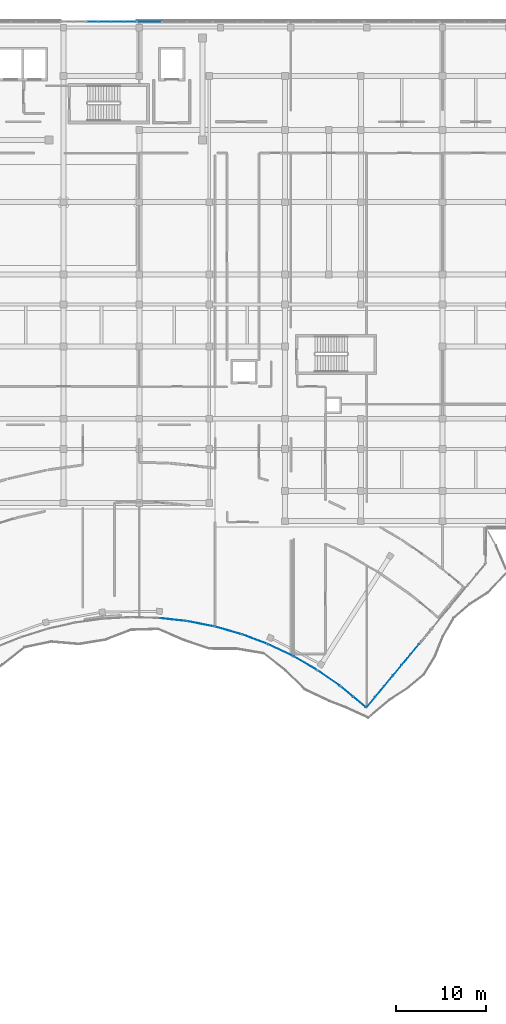
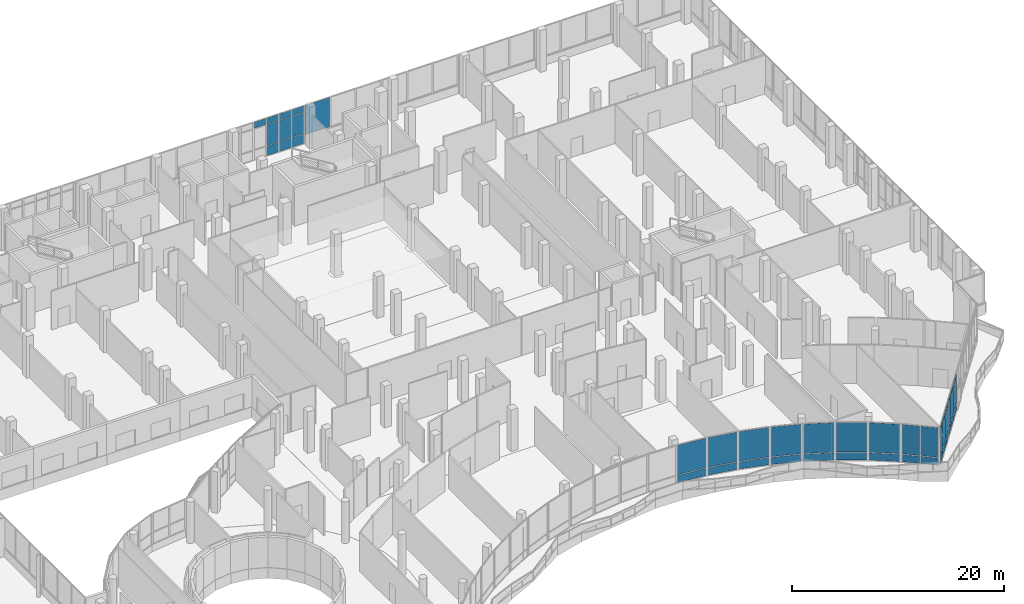
# One storey, part 126 of 155: 47 plates, 11 elements without a shape of their own.
"""IFC4 building model written with IfcOpenShell, lengths in metres."""

from ifc_helpers import new_model, si_unit, direction, frame, origin, origin_2d, place, context, subcontext, project, spatial, rectangle, extrude, material, layer, layer_set, type_object, element, aggregate, save


model = new_model("IFC4")

# Units and contexts
model_context = context("Model", 3, precision=1e-05, world=origin(), true_north=direction((0.0, 1.0)))
body_context = subcontext(model_context, "Body", "Model", "MODEL_VIEW")
ifc_project = project(units=[si_unit("LENGTHUNIT", "METRE"), si_unit("AREAUNIT", "SQUARE_METRE"), si_unit("VOLUMEUNIT", "CUBIC_METRE"), si_unit("PLANEANGLEUNIT", "RADIAN"), si_unit("MASSUNIT", "GRAM", prefix="KILO")], contexts=[model_context])

# Site, building, storey
site_placement = place(None, origin())
site = spatial("IfcSite", under=ifc_project, at=site_placement, CompositionType="ELEMENT")
building_placement = place(site_placement, origin())
building = spatial("IfcBuilding", under=site, at=building_placement, Name="Selatvlak General Hospital", CompositionType="ELEMENT")
storey_placement = place(building_placement, frame((0.0, 0.0, 10.199951171875)))
storey = spatial("IfcBuildingStorey", under=building, at=storey_placement, Name="L02", CompositionType="ELEMENT", Elevation=10.199951171875)

# Curtain wall, plates
ifc_material = material(Name="Solar-control Low-E double glazing", Category="glass")
curtain_wall_type_1 = type_object("IfcCurtainWallType", Name="CW-CW-04", PredefinedType="USERDEFINED", material=ifc_material)
curtain_wall_1_placement = place(storey_placement, origin())
curtain_wall_1 = element("IfcCurtainWall", 1, at=curtain_wall_1_placement, inside=storey, type_object=curtain_wall_type_1, Name="Glazed facade curtain wall CW-L02-0257", ObjectType="STICK GLAZING WALL", PredefinedType="USERDEFINED")
ifc_layer = layer(ifc_material, 0.028076171875, Name="Solar-control Low-E double glazing", Category="glass")
ifc_layer_set = layer_set([ifc_layer], Name="Solar-control Low-E double glazing")
plate_type = type_object("IfcPlateType", Name="CWP-01", PredefinedType="CURTAIN_PANEL", material=ifc_layer_set)
plate_1_placement = place(storey_placement, frame((135.213134765625, 120.0, 3.6923828125), z_axis=(0.0, 0.0, 1.0), x_axis=(1.0, 0.0, 0.0)))
plate_1 = element("IfcPlate", 2, at=plate_1_placement, type_object=plate_type, Name="CW-04 panel 3.3", PredefinedType="CURTAIN_PANEL", context=body_context, shape_type="SweptSolid", body=[
    extrude(rectangle(XDim=1.32666015625, YDim=0.028076171875, at=origin_2d()), origin(), (0.0, 0.0, 1.0), 0.702392578125),
])
plate_2_placement = place(storey_placement, frame((136.604736328125, 120.0, 0.06494140625), z_axis=(0.0, 0.0, 1.0), x_axis=(1.0, 0.0, 0.0)))
plate_2 = element("IfcPlate", 3, at=plate_2_placement, type_object=plate_type, Name="CW-04 panel 4.1", PredefinedType="CURTAIN_PANEL", context=body_context, shape_type="SweptSolid", body=[
    extrude(rectangle(XDim=1.32666015625, YDim=0.028076171875, at=origin_2d()), origin(), (0.0, 0.0, 1.0), 1.1025390625),
])
plate_3_placement = place(storey_placement, frame((136.604736328125, 120.0, 1.232421875), z_axis=(0.0, 0.0, 1.0), x_axis=(1.0, 0.0, 0.0)))
plate_3 = element("IfcPlate", 4, at=plate_3_placement, type_object=plate_type, Name="CW-04 panel 4.2", PredefinedType="CURTAIN_PANEL", context=body_context, shape_type="SweptSolid", body=[
    extrude(rectangle(XDim=1.32666015625, YDim=0.028076171875, at=origin_2d()), origin(), (0.0, 0.0, 1.0), 2.39501953125),
])
plate_4_placement = place(storey_placement, frame((136.604736328125, 120.0, 3.6923828125), z_axis=(0.0, 0.0, 1.0), x_axis=(1.0, 0.0, 0.0)))
plate_4 = element("IfcPlate", 5, at=plate_4_placement, type_object=plate_type, Name="CW-04 panel 4.3", PredefinedType="CURTAIN_PANEL", context=body_context, shape_type="SweptSolid", body=[
    extrude(rectangle(XDim=1.32666015625, YDim=0.028076171875, at=origin_2d()), origin(), (0.0, 0.0, 1.0), 0.702392578125),
])
plate_5_placement = place(storey_placement, frame((137.99658203125, 120.0, 0.06494140625), z_axis=(0.0, 0.0, 1.0), x_axis=(1.0, 0.0, 0.0)))
plate_5 = element("IfcPlate", 6, at=plate_5_placement, type_object=plate_type, Name="CW-04 panel 5.1", PredefinedType="CURTAIN_PANEL", context=body_context, shape_type="SweptSolid", body=[
    extrude(rectangle(XDim=1.32666015625, YDim=0.028076171875, at=origin_2d()), origin(), (0.0, 0.0, 1.0), 1.1025390625),
])
plate_6_placement = place(storey_placement, frame((137.99658203125, 120.0, 1.232421875), z_axis=(0.0, 0.0, 1.0), x_axis=(1.0, 0.0, 0.0)))
plate_6 = element("IfcPlate", 7, at=plate_6_placement, type_object=plate_type, Name="CW-04 panel 5.2", PredefinedType="CURTAIN_PANEL", context=body_context, shape_type="SweptSolid", body=[
    extrude(rectangle(XDim=1.32666015625, YDim=0.028076171875, at=origin_2d()), origin(), (0.0, 0.0, 1.0), 2.39501953125),
])
plate_7_placement = place(storey_placement, frame((137.99658203125, 120.0, 3.6923828125), z_axis=(0.0, 0.0, 1.0), x_axis=(1.0, 0.0, 0.0)))
plate_7 = element("IfcPlate", 8, at=plate_7_placement, type_object=plate_type, Name="CW-04 panel 5.3", PredefinedType="CURTAIN_PANEL", context=body_context, shape_type="SweptSolid", body=[
    extrude(rectangle(XDim=1.32666015625, YDim=0.028076171875, at=origin_2d()), origin(), (0.0, 0.0, 1.0), 0.702392578125),
])
plate_8_placement = place(storey_placement, frame((139.371826171875, 120.0, 0.06494140625), z_axis=(0.0, 0.0, 1.0), x_axis=(1.0, 0.0, 0.0)))
plate_8 = element("IfcPlate", 9, at=plate_8_placement, type_object=plate_type, Name="CW-04 panel 6.1", PredefinedType="CURTAIN_PANEL", context=body_context, shape_type="SweptSolid", body=[
    extrude(rectangle(XDim=1.294189453125, YDim=0.028076171875, at=origin_2d()), origin(), (0.0, 0.0, 1.0), 1.1025390625),
])
plate_9_placement = place(storey_placement, frame((139.371826171875, 120.0, 1.232421875), z_axis=(0.0, 0.0, 1.0), x_axis=(1.0, 0.0, 0.0)))
plate_9 = element("IfcPlate", 10, at=plate_9_placement, type_object=plate_type, Name="CW-04 panel 6.2", PredefinedType="CURTAIN_PANEL", context=body_context, shape_type="SweptSolid", body=[
    extrude(rectangle(XDim=1.294189453125, YDim=0.028076171875, at=origin_2d()), origin(), (0.0, 0.0, 1.0), 2.39501953125),
])
plate_10_placement = place(storey_placement, frame((139.371826171875, 120.0, 3.6923828125), z_axis=(0.0, 0.0, 1.0), x_axis=(1.0, 0.0, 0.0)))
plate_10 = element("IfcPlate", 11, at=plate_10_placement, type_object=plate_type, Name="CW-04 panel 6.3", PredefinedType="CURTAIN_PANEL", context=body_context, shape_type="SweptSolid", body=[
    extrude(rectangle(XDim=1.294189453125, YDim=0.028076171875, at=origin_2d()), origin(), (0.0, 0.0, 1.0), 0.702392578125),
])
aggregate(curtain_wall_1, [plate_1, plate_2, plate_3, plate_4, plate_5, plate_6, plate_7, plate_8, plate_9, plate_10])

# Curtain wall, plate
curtain_wall_type_2 = type_object("IfcCurtainWallType", Name="CW-CW-01", PredefinedType="USERDEFINED", material=ifc_material)
curtain_wall_2_placement = place(storey_placement, origin())
curtain_wall_2 = element("IfcCurtainWall", 12, at=curtain_wall_2_placement, inside=storey, type_object=curtain_wall_type_2, Name="Glazed facade curtain wall CW-L02-0258", ObjectType="UNITISED CURTAIN WALL", PredefinedType="USERDEFINED")
plate_11_placement = place(storey_placement, frame((141.52197265625, 120.0, 1.0048828125), z_axis=(0.0, 0.0, 1.0), x_axis=(1.0, 0.0, 0.0)))
plate_11 = element("IfcPlate", 13, at=plate_11_placement, type_object=plate_type, Name="CW-01 panel 1.1", PredefinedType="CURTAIN_PANEL", context=body_context, shape_type="SweptSolid", body=[
    extrude(rectangle(XDim=2.685791015625, YDim=0.028076171875, at=origin_2d()), origin(), (0.0, 0.0, 1.0), 3.389892578125),
])
aggregate(curtain_wall_2, [plate_11])

# Curtain wall, plates
curtain_wall_3_placement = place(storey_placement, origin())
curtain_wall_3 = element("IfcCurtainWall", 14, at=curtain_wall_3_placement, inside=storey, type_object=curtain_wall_type_2, Name="Glazed facade curtain wall CW-L02-0274", ObjectType="UNITISED CURTAIN WALL", PredefinedType="USERDEFINED")
plate_12_placement = place(storey_placement, frame((170.93896484375, 50.4560546875, 0.06494140625), z_axis=(0.0, 0.0, 1.0), x_axis=(-0.637721247938, -0.770267232802, 0.0)))
plate_12 = element("IfcPlate", 15, at=plate_12_placement, type_object=plate_type, Name="CW-01 panel 1.1", PredefinedType="CURTAIN_PANEL", context=body_context, shape_type="SweptSolid", body=[
    extrude(rectangle(XDim=1.435302734375, YDim=0.028076171875, at=origin_2d()), origin(), (0.0, 0.0, 1.0), 0.802490234375),
])
plate_13_placement = place(storey_placement, frame((170.93896484375, 50.4560546875, 0.9326171875), z_axis=(0.0, 0.0, 1.0), x_axis=(-0.637721247938, -0.770267232802, 0.0)))
plate_13 = element("IfcPlate", 16, at=plate_13_placement, type_object=plate_type, Name="CW-01 panel 1.2", PredefinedType="CURTAIN_PANEL", context=body_context, shape_type="SweptSolid", body=[
    extrude(rectangle(XDim=1.435302734375, YDim=0.028076171875, at=origin_2d()), origin(), (0.0, 0.0, 1.0), 2.844970703125),
])
plate_14_placement = place(storey_placement, frame((170.93896484375, 50.4560546875, 3.8427734375), z_axis=(0.0, 0.0, 1.0), x_axis=(-0.637721247938, -0.770267232802, 0.0)))
plate_14 = element("IfcPlate", 17, at=plate_14_placement, type_object=plate_type, Name="CW-01 panel 1.3", PredefinedType="CURTAIN_PANEL", context=body_context, shape_type="SweptSolid", body=[
    extrude(rectangle(XDim=1.435302734375, YDim=0.028076171875, at=origin_2d()), origin(), (0.0, 0.0, 1.0), 0.552490234375),
])
plate_15_placement = place(storey_placement, frame((169.9716796875, 49.2880859375, 0.06494140625), z_axis=(0.0, 0.0, 1.0), x_axis=(-0.637721247938, -0.770267232802, 0.0)))
plate_15 = element("IfcPlate", 18, at=plate_15_placement, type_object=plate_type, Name="CW-01 panel 2.1", PredefinedType="CURTAIN_PANEL", context=body_context, shape_type="SweptSolid", body=[
    extrude(rectangle(XDim=1.4677734375, YDim=0.028076171875, at=origin_2d()), origin(), (0.0, 0.0, 1.0), 0.802490234375),
])
plate_16_placement = place(storey_placement, frame((169.9716796875, 49.2880859375, 0.9326171875), z_axis=(0.0, 0.0, 1.0), x_axis=(-0.637721247938, -0.770267232802, 0.0)))
plate_16 = element("IfcPlate", 19, at=plate_16_placement, type_object=plate_type, Name="CW-01 panel 2.2", PredefinedType="CURTAIN_PANEL", context=body_context, shape_type="SweptSolid", body=[
    extrude(rectangle(XDim=1.4677734375, YDim=0.028076171875, at=origin_2d()), origin(), (0.0, 0.0, 1.0), 2.844970703125),
])
plate_17_placement = place(storey_placement, frame((169.9716796875, 49.2880859375, 3.8427734375), z_axis=(0.0, 0.0, 1.0), x_axis=(-0.637721247938, -0.770267232802, 0.0)))
plate_17 = element("IfcPlate", 20, at=plate_17_placement, type_object=plate_type, Name="CW-01 panel 2.3", PredefinedType="CURTAIN_PANEL", context=body_context, shape_type="SweptSolid", body=[
    extrude(rectangle(XDim=1.4677734375, YDim=0.028076171875, at=origin_2d()), origin(), (0.0, 0.0, 1.0), 0.552490234375),
])
plate_18_placement = place(storey_placement, frame((168.994140625, 48.107421875, 0.06494140625), z_axis=(0.0, 0.0, 1.0), x_axis=(-0.637721247938, -0.770267232802, 0.0)))
plate_18 = element("IfcPlate", 21, at=plate_18_placement, type_object=plate_type, Name="CW-01 panel 3.1", PredefinedType="CURTAIN_PANEL", context=body_context, shape_type="SweptSolid", body=[
    extrude(rectangle(XDim=1.4677734375, YDim=0.028076171875, at=origin_2d()), origin(), (0.0, 0.0, 1.0), 0.802490234375),
])
plate_19_placement = place(storey_placement, frame((168.994140625, 48.107421875, 0.9326171875), z_axis=(0.0, 0.0, 1.0), x_axis=(-0.637721247938, -0.770267232802, 0.0)))
plate_19 = element("IfcPlate", 22, at=plate_19_placement, type_object=plate_type, Name="CW-01 panel 3.2", PredefinedType="CURTAIN_PANEL", context=body_context, shape_type="SweptSolid", body=[
    extrude(rectangle(XDim=1.4677734375, YDim=0.028076171875, at=origin_2d()), origin(), (0.0, 0.0, 1.0), 2.844970703125),
])
plate_20_placement = place(storey_placement, frame((168.994140625, 48.107421875, 3.8427734375), z_axis=(0.0, 0.0, 1.0), x_axis=(-0.637721247938, -0.770267232802, 0.0)))
plate_20 = element("IfcPlate", 23, at=plate_20_placement, type_object=plate_type, Name="CW-01 panel 3.3", PredefinedType="CURTAIN_PANEL", context=body_context, shape_type="SweptSolid", body=[
    extrude(rectangle(XDim=1.4677734375, YDim=0.028076171875, at=origin_2d()), origin(), (0.0, 0.0, 1.0), 0.552490234375),
])
plate_21_placement = place(storey_placement, frame((168.016845703125, 46.9267578125, 0.06494140625), z_axis=(0.0, 0.0, 1.0), x_axis=(-0.637721247938, -0.770267232802, 0.0)))
plate_21 = element("IfcPlate", 24, at=plate_21_placement, type_object=plate_type, Name="CW-01 panel 4.1", PredefinedType="CURTAIN_PANEL", context=body_context, shape_type="SweptSolid", body=[
    extrude(rectangle(XDim=1.4677734375, YDim=0.028076171875, at=origin_2d()), origin(), (0.0, 0.0, 1.0), 0.802490234375),
])
plate_22_placement = place(storey_placement, frame((168.016845703125, 46.9267578125, 0.9326171875), z_axis=(0.0, 0.0, 1.0), x_axis=(-0.637721247938, -0.770267232802, 0.0)))
plate_22 = element("IfcPlate", 25, at=plate_22_placement, type_object=plate_type, Name="CW-01 panel 4.2", PredefinedType="CURTAIN_PANEL", context=body_context, shape_type="SweptSolid", body=[
    extrude(rectangle(XDim=1.4677734375, YDim=0.028076171875, at=origin_2d()), origin(), (0.0, 0.0, 1.0), 2.844970703125),
])
plate_23_placement = place(storey_placement, frame((168.016845703125, 46.9267578125, 3.8427734375), z_axis=(0.0, 0.0, 1.0), x_axis=(-0.637721247938, -0.770267232802, 0.0)))
plate_23 = element("IfcPlate", 26, at=plate_23_placement, type_object=plate_type, Name="CW-01 panel 4.3", PredefinedType="CURTAIN_PANEL", context=body_context, shape_type="SweptSolid", body=[
    extrude(rectangle(XDim=1.4677734375, YDim=0.028076171875, at=origin_2d()), origin(), (0.0, 0.0, 1.0), 0.552490234375),
])
plate_24_placement = place(storey_placement, frame((167.039306640625, 45.74609375, 0.06494140625), z_axis=(0.0, 0.0, 1.0), x_axis=(-0.637721247938, -0.770267232802, 0.0)))
plate_24 = element("IfcPlate", 27, at=plate_24_placement, type_object=plate_type, Name="CW-01 panel 5.1", PredefinedType="CURTAIN_PANEL", context=body_context, shape_type="SweptSolid", body=[
    extrude(rectangle(XDim=1.4677734375, YDim=0.028076171875, at=origin_2d()), origin(), (0.0, 0.0, 1.0), 0.802490234375),
])
plate_25_placement = place(storey_placement, frame((167.039306640625, 45.74609375, 0.9326171875), z_axis=(0.0, 0.0, 1.0), x_axis=(-0.637721247938, -0.770267232802, 0.0)))
plate_25 = element("IfcPlate", 28, at=plate_25_placement, type_object=plate_type, Name="CW-01 panel 5.2", PredefinedType="CURTAIN_PANEL", context=body_context, shape_type="SweptSolid", body=[
    extrude(rectangle(XDim=1.4677734375, YDim=0.028076171875, at=origin_2d()), origin(), (0.0, 0.0, 1.0), 2.844970703125),
])
plate_26_placement = place(storey_placement, frame((167.039306640625, 45.74609375, 3.8427734375), z_axis=(0.0, 0.0, 1.0), x_axis=(-0.637721247938, -0.770267232802, 0.0)))
plate_26 = element("IfcPlate", 29, at=plate_26_placement, type_object=plate_type, Name="CW-01 panel 5.3", PredefinedType="CURTAIN_PANEL", context=body_context, shape_type="SweptSolid", body=[
    extrude(rectangle(XDim=1.4677734375, YDim=0.028076171875, at=origin_2d()), origin(), (0.0, 0.0, 1.0), 0.552490234375),
])
plate_27_placement = place(storey_placement, frame((166.072021484375, 44.577880859375, 0.06494140625), z_axis=(0.0, 0.0, 1.0), x_axis=(-0.637721247938, -0.770267232802, 0.0)))
plate_27 = element("IfcPlate", 30, at=plate_27_placement, type_object=plate_type, Name="CW-01 panel 6.1", PredefinedType="CURTAIN_PANEL", context=body_context, shape_type="SweptSolid", body=[
    extrude(rectangle(XDim=1.435302734375, YDim=0.028076171875, at=origin_2d()), origin(), (0.0, 0.0, 1.0), 0.802490234375),
])
plate_28_placement = place(storey_placement, frame((166.072021484375, 44.577880859375, 0.9326171875), z_axis=(0.0, 0.0, 1.0), x_axis=(-0.637721247938, -0.770267232802, 0.0)))
plate_28 = element("IfcPlate", 31, at=plate_28_placement, type_object=plate_type, Name="CW-01 panel 6.2", PredefinedType="CURTAIN_PANEL", context=body_context, shape_type="SweptSolid", body=[
    extrude(rectangle(XDim=1.435302734375, YDim=0.028076171875, at=origin_2d()), origin(), (0.0, 0.0, 1.0), 2.844970703125),
])
plate_29_placement = place(storey_placement, frame((166.072021484375, 44.577880859375, 3.8427734375), z_axis=(0.0, 0.0, 1.0), x_axis=(-0.637721247938, -0.770267232802, 0.0)))
plate_29 = element("IfcPlate", 32, at=plate_29_placement, type_object=plate_type, Name="CW-01 panel 6.3", PredefinedType="CURTAIN_PANEL", context=body_context, shape_type="SweptSolid", body=[
    extrude(rectangle(XDim=1.435302734375, YDim=0.028076171875, at=origin_2d()), origin(), (0.0, 0.0, 1.0), 0.552490234375),
])
aggregate(curtain_wall_3, [plate_12, plate_13, plate_14, plate_15, plate_16, plate_17, plate_18, plate_19, plate_20, plate_21, plate_22, plate_23, plate_24, plate_25, plate_26, plate_27, plate_28, plate_29])

curtain_wall_4_placement = place(storey_placement, origin())
curtain_wall_4 = element("IfcCurtainWall", 33, at=curtain_wall_4_placement, inside=storey, type_object=curtain_wall_type_2, Name="Glazed facade curtain wall CW-L02-0275", ObjectType="UNITISED CURTAIN WALL", PredefinedType="USERDEFINED")
plate_30_placement = place(storey_placement, frame((164.799560546875, 44.599365234375, 0.06494140625), z_axis=(0.0, 0.0, 1.0), x_axis=(-0.768311109864, 0.640076587964, 0.0)))
plate_30 = element("IfcPlate", 34, at=plate_30_placement, type_object=plate_type, Name="CW-01 panel 1.1", PredefinedType="CURTAIN_PANEL", context=body_context, shape_type="SweptSolid", body=[
    extrude(rectangle(XDim=1.727294921875, YDim=0.028076171875, at=origin_2d()), origin(), (0.0, 0.0, 1.0), 0.8525390625),
])
plate_31_placement = place(storey_placement, frame((164.799560546875, 44.599365234375, 0.982421875), z_axis=(0.0, 0.0, 1.0), x_axis=(-0.768311109864, 0.640076587964, 0.0)))
plate_31 = element("IfcPlate", 35, at=plate_31_placement, type_object=plate_type, Name="CW-01 panel 1.2", PredefinedType="CURTAIN_PANEL", context=body_context, shape_type="SweptSolid", body=[
    extrude(rectangle(XDim=1.727294921875, YDim=0.028076171875, at=origin_2d()), origin(), (0.0, 0.0, 1.0), 3.41259765625),
])
plate_32_placement = place(storey_placement, frame((163.42236328125, 45.74658203125, 0.06494140625), z_axis=(0.0, 0.0, 1.0), x_axis=(-0.768311109864, 0.640076587964, 0.0)))
plate_32 = element("IfcPlate", 36, at=plate_32_placement, type_object=plate_type, Name="CW-01 panel 2.1", PredefinedType="CURTAIN_PANEL", context=body_context, shape_type="SweptSolid", body=[
    extrude(rectangle(XDim=1.727294921875, YDim=0.028076171875, at=origin_2d()), origin(), (0.0, 0.0, 1.0), 0.8525390625),
])
plate_33_placement = place(storey_placement, frame((163.42236328125, 45.74658203125, 0.982421875), z_axis=(0.0, 0.0, 1.0), x_axis=(-0.768311109864, 0.640076587964, 0.0)))
plate_33 = element("IfcPlate", 37, at=plate_33_placement, type_object=plate_type, Name="CW-01 panel 2.2", PredefinedType="CURTAIN_PANEL", context=body_context, shape_type="SweptSolid", body=[
    extrude(rectangle(XDim=1.727294921875, YDim=0.028076171875, at=origin_2d()), origin(), (0.0, 0.0, 1.0), 3.41259765625),
])
aggregate(curtain_wall_4, [plate_30, plate_31, plate_32, plate_33])

curtain_wall_type_3 = type_object("IfcCurtainWallType", Name="CW-CW-02", PredefinedType="USERDEFINED", material=ifc_material)
curtain_wall_5_placement = place(storey_placement, origin())
curtain_wall_5 = element("IfcCurtainWall", 38, at=curtain_wall_5_placement, inside=storey, type_object=curtain_wall_type_3, Name="Glazed facade curtain wall CW-L02-0276", ObjectType="UNITISED CURTAIN WALL", PredefinedType="USERDEFINED")
plate_34_placement = place(storey_placement, frame((161.39990234375, 47.2548828125, 0.06494140625), z_axis=(0.0, 0.0, 1.0), x_axis=(-0.82071690008, 0.571335076749, 0.0)))
plate_34 = element("IfcPlate", 39, at=plate_34_placement, type_object=plate_type, Name="CW-02 panel 1.1", PredefinedType="CURTAIN_PANEL", context=body_context, shape_type="SweptSolid", body=[
    extrude(rectangle(XDim=2.901611328125, YDim=0.028076171875, at=origin_2d()), origin(), (0.0, 0.0, 1.0), 0.8525390625),
])
plate_35_placement = place(storey_placement, frame((161.39990234375, 47.2548828125, 0.982421875), z_axis=(0.0, 0.0, 1.0), x_axis=(-0.82071690008, 0.571335076749, 0.0)))
plate_35 = element("IfcPlate", 40, at=plate_35_placement, type_object=plate_type, Name="CW-02 panel 1.2", PredefinedType="CURTAIN_PANEL", context=body_context, shape_type="SweptSolid", body=[
    extrude(rectangle(XDim=2.901611328125, YDim=0.028076171875, at=origin_2d()), origin(), (0.0, 0.0, 1.0), 3.41259765625),
])
aggregate(curtain_wall_5, [plate_34, plate_35])

curtain_wall_6_placement = place(storey_placement, origin())
curtain_wall_6 = element("IfcCurtainWall", 41, at=curtain_wall_6_placement, inside=storey, type_object=curtain_wall_type_2, Name="Glazed facade curtain wall CW-L02-0277", ObjectType="UNITISED CURTAIN WALL", PredefinedType="USERDEFINED")
plate_36_placement = place(storey_placement, frame((158.77587890625, 48.923583984375, 0.06494140625), z_axis=(0.0, 0.0, 1.0), x_axis=(-0.865162807212, 0.501491093657, 0.0)))
plate_36 = element("IfcPlate", 42, at=plate_36_placement, type_object=plate_type, Name="CW-01 panel 1.1", PredefinedType="CURTAIN_PANEL", context=body_context, shape_type="SweptSolid", body=[
    extrude(rectangle(XDim=2.903076171875, YDim=0.028076171875, at=origin_2d()), origin(), (0.0, 0.0, 1.0), 0.8525390625),
])
plate_37_placement = place(storey_placement, frame((158.77587890625, 48.923583984375, 0.982421875), z_axis=(0.0, 0.0, 1.0), x_axis=(-0.865162807212, 0.501491093657, 0.0)))
plate_37 = element("IfcPlate", 43, at=plate_37_placement, type_object=plate_type, Name="CW-01 panel 1.2", PredefinedType="CURTAIN_PANEL", context=body_context, shape_type="SweptSolid", body=[
    extrude(rectangle(XDim=2.903076171875, YDim=0.028076171875, at=origin_2d()), origin(), (0.0, 0.0, 1.0), 3.41259765625),
])
aggregate(curtain_wall_6, [plate_36, plate_37])

curtain_wall_7_placement = place(storey_placement, origin())
curtain_wall_7 = element("IfcCurtainWall", 44, at=curtain_wall_7_placement, inside=storey, type_object=curtain_wall_type_3, Name="Glazed facade curtain wall CW-L02-0278", ObjectType="UNITISED CURTAIN WALL", PredefinedType="USERDEFINED")
plate_38_placement = place(storey_placement, frame((156.021484375, 50.368896484375, 0.06494140625), z_axis=(0.0, 0.0, 1.0), x_axis=(-0.903529659343, 0.428525558966, 0.0)))
plate_38 = element("IfcPlate", 45, at=plate_38_placement, type_object=plate_type, Name="CW-02 panel 1.1", PredefinedType="CURTAIN_PANEL", context=body_context, shape_type="SweptSolid", body=[
    extrude(rectangle(XDim=2.903564453125, YDim=0.028076171875, at=origin_2d()), origin(), (0.0, 0.0, 1.0), 0.8525390625),
])
plate_39_placement = place(storey_placement, frame((156.021484375, 50.368896484375, 0.982421875), z_axis=(0.0, 0.0, 1.0), x_axis=(-0.903529659343, 0.428525558966, 0.0)))
plate_39 = element("IfcPlate", 46, at=plate_39_placement, type_object=plate_type, Name="CW-02 panel 1.2", PredefinedType="CURTAIN_PANEL", context=body_context, shape_type="SweptSolid", body=[
    extrude(rectangle(XDim=2.903564453125, YDim=0.028076171875, at=origin_2d()), origin(), (0.0, 0.0, 1.0), 3.41259765625),
])
aggregate(curtain_wall_7, [plate_38, plate_39])

curtain_wall_8_placement = place(storey_placement, origin())
curtain_wall_8 = element("IfcCurtainWall", 47, at=curtain_wall_8_placement, inside=storey, type_object=curtain_wall_type_2, Name="Glazed facade curtain wall CW-L02-0279", ObjectType="UNITISED CURTAIN WALL", PredefinedType="USERDEFINED")
plate_40_placement = place(storey_placement, frame((153.157470703125, 51.58154296875, 0.06494140625), z_axis=(0.0, 0.0, 1.0), x_axis=(-0.935989779927, 0.352027174905, 0.0)))
plate_40 = element("IfcPlate", 48, at=plate_40_placement, type_object=plate_type, Name="CW-01 panel 1.1", PredefinedType="CURTAIN_PANEL", context=body_context, shape_type="SweptSolid", body=[
    extrude(rectangle(XDim=2.901123046875, YDim=0.028076171875, at=origin_2d()), origin(), (0.0, 0.0, 1.0), 0.8525390625),
])
plate_41_placement = place(storey_placement, frame((153.157470703125, 51.58154296875, 0.982421875), z_axis=(0.0, 0.0, 1.0), x_axis=(-0.935989779927, 0.352027174905, 0.0)))
plate_41 = element("IfcPlate", 49, at=plate_41_placement, type_object=plate_type, Name="CW-01 panel 1.2", PredefinedType="CURTAIN_PANEL", context=body_context, shape_type="SweptSolid", body=[
    extrude(rectangle(XDim=2.901123046875, YDim=0.028076171875, at=origin_2d()), origin(), (0.0, 0.0, 1.0), 3.41259765625),
])
aggregate(curtain_wall_8, [plate_40, plate_41])

curtain_wall_9_placement = place(storey_placement, origin())
curtain_wall_9 = element("IfcCurtainWall", 50, at=curtain_wall_9_placement, inside=storey, type_object=curtain_wall_type_3, Name="Glazed facade curtain wall CW-L02-0280", ObjectType="UNITISED CURTAIN WALL", PredefinedType="USERDEFINED")
plate_42_placement = place(storey_placement, frame((150.205078125, 52.551513671875, 0.06494140625), z_axis=(0.0, 0.0, 1.0), x_axis=(-0.962057469853, 0.272846888748, 0.0)))
plate_42 = element("IfcPlate", 51, at=plate_42_placement, type_object=plate_type, Name="CW-02 panel 1.1", PredefinedType="CURTAIN_PANEL", context=body_context, shape_type="SweptSolid", body=[
    extrude(rectangle(XDim=2.901123046875, YDim=0.028076171875, at=origin_2d()), origin(), (0.0, 0.0, 1.0), 0.8525390625),
])
plate_43_placement = place(storey_placement, frame((150.205078125, 52.551513671875, 0.982421875), z_axis=(0.0, 0.0, 1.0), x_axis=(-0.962057469853, 0.272846888748, 0.0)))
plate_43 = element("IfcPlate", 52, at=plate_43_placement, type_object=plate_type, Name="CW-02 panel 1.2", PredefinedType="CURTAIN_PANEL", context=body_context, shape_type="SweptSolid", body=[
    extrude(rectangle(XDim=2.901123046875, YDim=0.028076171875, at=origin_2d()), origin(), (0.0, 0.0, 1.0), 3.41259765625),
])
aggregate(curtain_wall_9, [plate_42, plate_43])

curtain_wall_10_placement = place(storey_placement, origin())
curtain_wall_10 = element("IfcCurtainWall", 53, at=curtain_wall_10_placement, inside=storey, type_object=curtain_wall_type_2, Name="Glazed facade curtain wall CW-L02-0281", ObjectType="UNITISED CURTAIN WALL", PredefinedType="USERDEFINED")
plate_44_placement = place(storey_placement, frame((147.180908203125, 53.2734375, 0.06494140625), z_axis=(0.0, 0.0, 1.0), x_axis=(-0.981346698428, 0.192246345827, 0.0)))
plate_44 = element("IfcPlate", 54, at=plate_44_placement, type_object=plate_type, Name="CW-01 panel 1.1", PredefinedType="CURTAIN_PANEL", context=body_context, shape_type="SweptSolid", body=[
    extrude(rectangle(XDim=2.902587890625, YDim=0.028076171875, at=origin_2d()), origin(), (0.0, 0.0, 1.0), 0.8525390625),
])
plate_45_placement = place(storey_placement, frame((147.180908203125, 53.2734375, 0.982421875), z_axis=(0.0, 0.0, 1.0), x_axis=(-0.981346698428, 0.192246345827, 0.0)))
plate_45 = element("IfcPlate", 55, at=plate_45_placement, type_object=plate_type, Name="CW-01 panel 1.2", PredefinedType="CURTAIN_PANEL", context=body_context, shape_type="SweptSolid", body=[
    extrude(rectangle(XDim=2.902587890625, YDim=0.028076171875, at=origin_2d()), origin(), (0.0, 0.0, 1.0), 3.41259765625),
])
aggregate(curtain_wall_10, [plate_44, plate_45])

curtain_wall_11_placement = place(storey_placement, origin())
curtain_wall_11 = element("IfcCurtainWall", 56, at=curtain_wall_11_placement, inside=storey, type_object=curtain_wall_type_3, Name="Glazed facade curtain wall CW-L02-0282", ObjectType="UNITISED CURTAIN WALL", PredefinedType="USERDEFINED")
plate_46_placement = place(storey_placement, frame((144.10546875, 53.742431640625, 0.06494140625), z_axis=(0.0, 0.0, 1.0), x_axis=(-0.993955887919, 0.109780202548, 0.0)))
plate_46 = element("IfcPlate", 57, at=plate_46_placement, type_object=plate_type, Name="CW-02 panel 1.1", PredefinedType="CURTAIN_PANEL", context=body_context, shape_type="SweptSolid", body=[
    extrude(rectangle(XDim=2.9033203125, YDim=0.028076171875, at=origin_2d()), origin(), (0.0, 0.0, 1.0), 0.8525390625),
])
plate_47_placement = place(storey_placement, frame((144.10546875, 53.742431640625, 0.982421875), z_axis=(0.0, 0.0, 1.0), x_axis=(-0.993955887919, 0.109780202548, 0.0)))
plate_47 = element("IfcPlate", 58, at=plate_47_placement, type_object=plate_type, Name="CW-02 panel 1.2", PredefinedType="CURTAIN_PANEL", context=body_context, shape_type="SweptSolid", body=[
    extrude(rectangle(XDim=2.9033203125, YDim=0.028076171875, at=origin_2d()), origin(), (0.0, 0.0, 1.0), 3.41259765625),
])
aggregate(curtain_wall_11, [plate_46, plate_47])

save(model, "model.ifc")
